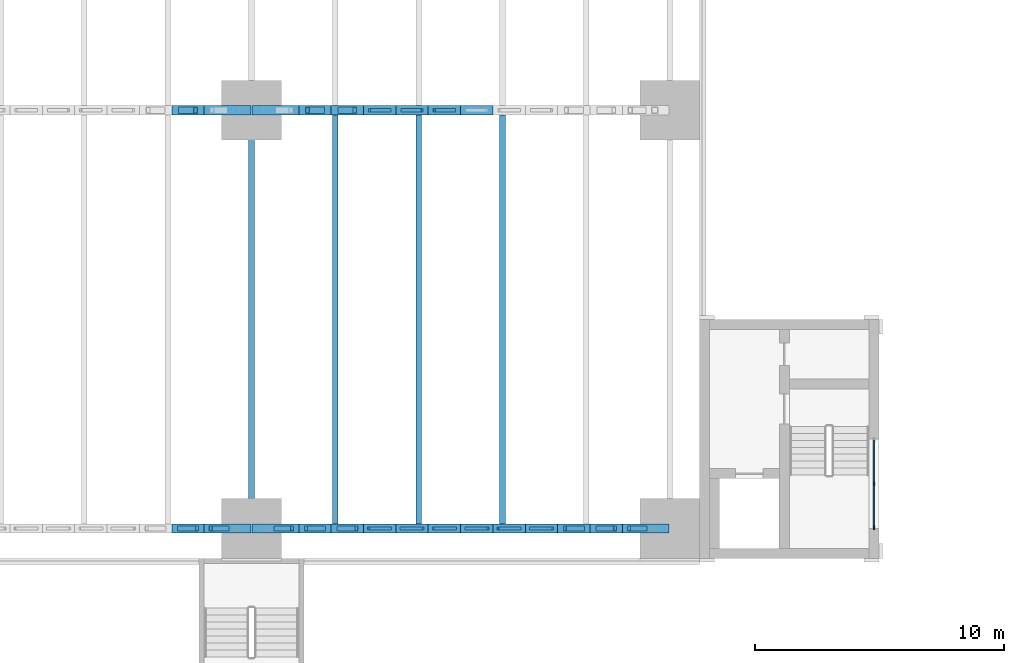
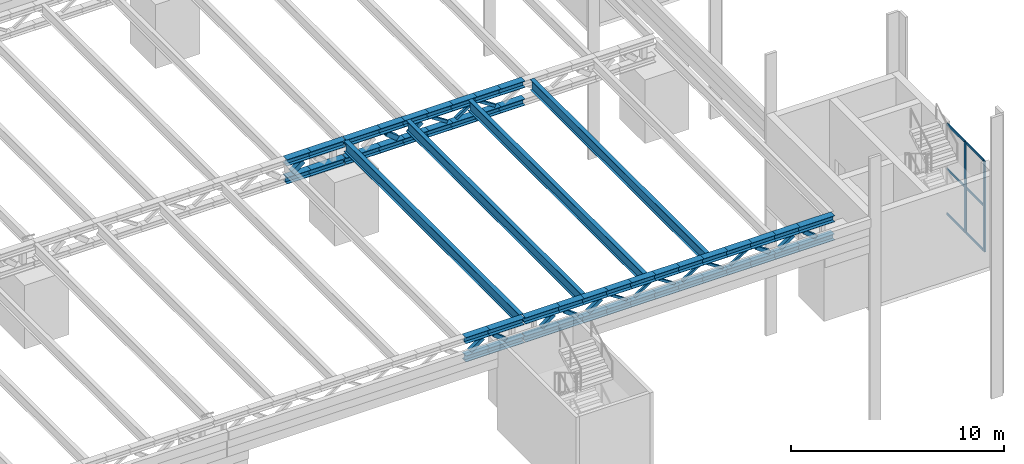
# One storey, part 33 of 93: 74 members, 4 beams, 1 element without a shape of its own.
"""IFC4 building model written with IfcOpenShell, lengths in metres."""

from ifc_helpers import new_model, si_unit, direction, frame, origin, origin_2d, place, context, subcontext, project, spatial, rectangle, hollow_rectangle, i_section, extrude, material, material_profile, profile_set, type_object, element, aggregate, save


model = new_model("IFC4")

# Units and contexts
model_context = context("Model", 3, precision=1e-05, world=origin(), true_north=direction((0.0, 1.0)))
body_context = subcontext(model_context, "Body", "Model", "MODEL_VIEW")
ifc_project = project(units=[si_unit("LENGTHUNIT", "METRE"), si_unit("AREAUNIT", "SQUARE_METRE"), si_unit("VOLUMEUNIT", "CUBIC_METRE"), si_unit("PLANEANGLEUNIT", "RADIAN"), si_unit("MASSUNIT", "GRAM", prefix="KILO")], contexts=[model_context])

# Site, building, storey
site_placement = place(None, origin())
site = spatial("IfcSite", under=ifc_project, at=site_placement, CompositionType="ELEMENT")
building_placement = place(site_placement, origin())
building = spatial("IfcBuilding", under=site, at=building_placement, Name="Verrick Yard Athletic Hall", CompositionType="ELEMENT")
storey_placement = place(building_placement, frame((0.0, 0.0, 8.800048828125)))
storey = spatial("IfcBuildingStorey", under=building, at=storey_placement, Name="L02", CompositionType="ELEMENT", Elevation=8.800048828125)

# Curtain wall, members
ifc_material_1 = material(Name="Aluminium 6063-T5", Category="aluminium")
curtain_wall_type = type_object("IfcCurtainWallType", Name="Core glazing strip", PredefinedType="NOTDEFINED", material=ifc_material_1)
curtain_wall_placement = place(storey_placement, origin())
curtain_wall = element("IfcCurtainWall", 1, at=curtain_wall_placement, inside=storey, type_object=curtain_wall_type, Name="CORE-CB3-CW-L02", PredefinedType="NOTDEFINED")
ifc_material_profile_1 = material_profile(ifc_material_1, rectangle(XDim=0.06005859375, YDim=0.159912109375, at=origin_2d()), Name="Core glazing mullion 60x160")
ifc_profile_set_1 = profile_set([ifc_material_profile_1], Name="Aluminium 6063-T5")
member_type_1 = type_object("IfcMemberType", Name="Core glazing mullion 60x160", PredefinedType="MULLION", material=ifc_profile_set_1)
member_1_placement = place(storey_placement, frame((165.800048828125, 19.22998046875, 0.0), z_axis=(0.0, 0.0, 1.0), x_axis=(-1.0, 0.0, 0.0)))
member_1 = element("IfcMember", 2, at=member_1_placement, type_object=member_type_1, Name="CW5 mullion 1", PredefinedType="MULLION", context=body_context, shape_type="SweptSolid", body=[
    extrude(rectangle(XDim=0.06005859375, YDim=0.159912109375, at=origin_2d()), origin(), (0.0, 0.0, 1.0), 5.199951171875),
])
member_2_placement = place(storey_placement, frame((165.800048828125, 21.0, 0.0), z_axis=(0.0, 0.0, 1.0), x_axis=(-1.0, 0.0, 0.0)))
member_2 = element("IfcMember", 3, at=member_2_placement, type_object=member_type_1, Name="CW5 mullion 2", PredefinedType="MULLION", context=body_context, shape_type="SweptSolid", body=[
    extrude(rectangle(XDim=0.06005859375, YDim=0.159912109375, at=origin_2d()), origin(), (0.0, 0.0, 1.0), 5.199951171875),
])
ifc_material_profile_2 = material_profile(ifc_material_1, rectangle(XDim=0.06005859375, YDim=0.1201171875, at=origin_2d()), Name="Core glazing transom 60x120")
ifc_profile_set_2 = profile_set([ifc_material_profile_2], Name="Aluminium 6063-T5")
member_type_2 = type_object("IfcMemberType", Name="Core glazing transom 60x120", PredefinedType="USERDEFINED", material=ifc_profile_set_2)
member_3_placement = place(storey_placement, frame((165.800048828125, 19.260009765625, 0.030029296875), z_axis=(0.0, 1.0, 0.0), x_axis=(-1.0, 0.0, 0.0)))
member_3 = element("IfcMember", 4, at=member_3_placement, type_object=member_type_2, Name="CW5 transom 1.1", ObjectType="TRANSOM", PredefinedType="USERDEFINED", context=body_context, shape_type="SweptSolid", body=[
    extrude(rectangle(XDim=0.06005859375, YDim=0.1201171875, at=origin_2d()), origin(), (0.0, 0.0, 1.0), 1.7099609375),
])
member_4_placement = place(storey_placement, frame((165.800048828125, 19.260009765625, 2.599853515625), z_axis=(0.0, 1.0, 0.0), x_axis=(-1.0, 0.0, 0.0)))
member_4 = element("IfcMember", 5, at=member_4_placement, type_object=member_type_2, Name="CW5 transom 1.2", ObjectType="TRANSOM", PredefinedType="USERDEFINED", context=body_context, shape_type="SweptSolid", body=[
    extrude(rectangle(XDim=0.06005859375, YDim=0.1201171875, at=origin_2d()), origin(), (0.0, 0.0, 1.0), 1.7099609375),
])
member_5_placement = place(storey_placement, frame((165.800048828125, 19.260009765625, 5.169921875), z_axis=(0.0, 1.0, 0.0), x_axis=(-1.0, 0.0, 0.0)))
member_5 = element("IfcMember", 6, at=member_5_placement, type_object=member_type_2, Name="CW5 transom 1.3", ObjectType="TRANSOM", PredefinedType="USERDEFINED", context=body_context, shape_type="SweptSolid", body=[
    extrude(rectangle(XDim=0.06005859375, YDim=0.1201171875, at=origin_2d()), origin(), (0.0, 0.0, 1.0), 1.7099609375),
])
member_6_placement = place(storey_placement, frame((165.800048828125, 21.030029296875, 0.030029296875), z_axis=(0.0, 1.0, 0.0), x_axis=(-1.0, 0.0, 0.0)))
member_6 = element("IfcMember", 7, at=member_6_placement, type_object=member_type_2, Name="CW5 transom 2.1", ObjectType="TRANSOM", PredefinedType="USERDEFINED", context=body_context, shape_type="SweptSolid", body=[
    extrude(rectangle(XDim=0.06005859375, YDim=0.1201171875, at=origin_2d()), origin(), (0.0, 0.0, 1.0), 1.7099609375),
])
member_7_placement = place(storey_placement, frame((165.800048828125, 21.030029296875, 2.599853515625), z_axis=(0.0, 1.0, 0.0), x_axis=(-1.0, 0.0, 0.0)))
member_7 = element("IfcMember", 8, at=member_7_placement, type_object=member_type_2, Name="CW5 transom 2.2", ObjectType="TRANSOM", PredefinedType="USERDEFINED", context=body_context, shape_type="SweptSolid", body=[
    extrude(rectangle(XDim=0.06005859375, YDim=0.1201171875, at=origin_2d()), origin(), (0.0, 0.0, 1.0), 1.7099609375),
])
member_8_placement = place(storey_placement, frame((165.800048828125, 21.030029296875, 5.169921875), z_axis=(0.0, 1.0, 0.0), x_axis=(-1.0, 0.0, 0.0)))
member_8 = element("IfcMember", 9, at=member_8_placement, type_object=member_type_2, Name="CW5 transom 2.3", ObjectType="TRANSOM", PredefinedType="USERDEFINED", context=body_context, shape_type="SweptSolid", body=[
    extrude(rectangle(XDim=0.06005859375, YDim=0.1201171875, at=origin_2d()), origin(), (0.0, 0.0, 1.0), 1.7099609375),
])
aggregate(curtain_wall, [member_1, member_2, member_3, member_4, member_5, member_6, member_7, member_8])

# Members
ifc_material_2 = material(Name="Structural steel 350W (CSA G40.21)", Category="steel")
ifc_material_profile_3 = material_profile(ifc_material_2, i_section(OverallWidth=0.368896484375, OverallDepth=0.35595703125, WebThickness=0.01123046875, FlangeThickness=0.01806640625, at=origin_2d()), Name="W360x134")
ifc_profile_set_3 = profile_set([ifc_material_profile_3], Name="Structural steel 350W (CSA G40.21)")
member_type_3 = type_object("IfcMemberType", Name="STR Edge truss bottom chord W360x134", PredefinedType="CHORD", material=ifc_profile_set_3)
member_9_placement = place(storey_placement, frame((137.60009765625, 19.199951171875, 3.827880859375), z_axis=(1.0, 0.0, 0.0), x_axis=(0.0, 1.0, 0.0)))
element("IfcMember", 10, at=member_9_placement, inside=storey, type_object=member_type_3, Name="STR-BC-GA6-11", PredefinedType="CHORD", context=body_context, shape_type="SweptSolid", body=[
    extrude(i_section(OverallWidth=0.368896484375, OverallDepth=0.35595703125, WebThickness=0.01123046875, FlangeThickness=0.01806640625, at=origin_2d()), origin(), (0.0, 0.0, 1.0), 1.2998046875),
])
for number, where, z_axis, x_axis, name in (
    (11, (138.89990234375, 19.199951171875, 3.827880859375), (1.0, 0.0, 0.0), (0.0, 1.0, 0.0), "STR-BC-GA6-12"),
    (12, (140.824951171875, 19.199951171875, 3.827880859375), (1.0, 0.0, 0.0), (0.0, 1.0, 0.0), "STR-BC-GA7-1"),
):
    element("IfcMember", number, at=place(storey_placement, frame(where, z_axis=z_axis, x_axis=x_axis)), inside=storey, type_object=member_type_3, Name=name, PredefinedType="CHORD", context=body_context, shape_type="SweptSolid", body=[
        extrude(i_section(OverallWidth=0.368896484375, OverallDepth=0.35595703125, WebThickness=0.01123046875, FlangeThickness=0.01806640625, at=origin_2d()), origin(), (0.0, 0.0, 1.0), 1.875),
    ])
for number, where, z_axis, x_axis, name in (
    (13, (142.699951171875, 19.199951171875, 3.827880859375), (1.0, 0.0, 0.0), (0.0, 1.0, 0.0), "STR-BC-GA7-2"),
    (14, (144.0, 19.199951171875, 3.827880859375), (1.0, 0.0, 0.0), (0.0, 1.0, 0.0), "STR-BC-GA7-3"),
    (15, (145.300048828125, 19.199951171875, 3.827880859375), (1.0, 0.0, 0.0), (0.0, 1.0, 0.0), "STR-BC-GA7-4"),
):
    element("IfcMember", number, at=place(storey_placement, frame(where, z_axis=z_axis, x_axis=x_axis)), inside=storey, type_object=member_type_3, Name=name, PredefinedType="CHORD", context=body_context, shape_type="SweptSolid", body=[
        extrude(i_section(OverallWidth=0.368896484375, OverallDepth=0.35595703125, WebThickness=0.01123046875, FlangeThickness=0.01806640625, at=origin_2d()), origin(), (0.0, 0.0, 1.0), 1.300048828125),
    ])
member_10_placement = place(storey_placement, frame((146.60009765625, 19.199951171875, 3.827880859375), z_axis=(1.0, 0.0, 0.0), x_axis=(0.0, 1.0, 0.0)))
element("IfcMember", 16, at=member_10_placement, inside=storey, type_object=member_type_3, Name="STR-BC-GA7-5", PredefinedType="CHORD", context=body_context, shape_type="SweptSolid", body=[
    extrude(i_section(OverallWidth=0.368896484375, OverallDepth=0.35595703125, WebThickness=0.01123046875, FlangeThickness=0.01806640625, at=origin_2d()), origin(), (0.0, 0.0, 1.0), 1.2998046875),
])
for number, where, z_axis, x_axis, name in (
    (17, (147.89990234375, 19.199951171875, 3.827880859375), (1.0, 0.0, 0.0), (0.0, 1.0, 0.0), "STR-BC-GA7-6"),
    (18, (149.199951171875, 19.199951171875, 3.827880859375), (1.0, 0.0, 0.0), (0.0, 1.0, 0.0), "STR-BC-GA7-7"),
    (19, (150.5, 19.199951171875, 3.827880859375), (1.0, 0.0, 0.0), (0.0, 1.0, 0.0), "STR-BC-GA7-8"),
    (20, (151.800048828125, 19.199951171875, 3.827880859375), (1.0, 0.0, 0.0), (0.0, 1.0, 0.0), "STR-BC-GA7-9"),
):
    element("IfcMember", number, at=place(storey_placement, frame(where, z_axis=z_axis, x_axis=x_axis)), inside=storey, type_object=member_type_3, Name=name, PredefinedType="CHORD", context=body_context, shape_type="SweptSolid", body=[
        extrude(i_section(OverallWidth=0.368896484375, OverallDepth=0.35595703125, WebThickness=0.01123046875, FlangeThickness=0.01806640625, at=origin_2d()), origin(), (0.0, 0.0, 1.0), 1.300048828125),
    ])
member_11_placement = place(storey_placement, frame((153.10009765625, 19.199951171875, 3.827880859375), z_axis=(1.0, 0.0, 0.0), x_axis=(0.0, 1.0, 0.0)))
element("IfcMember", 21, at=member_11_placement, inside=storey, type_object=member_type_3, Name="STR-BC-GA7-10", PredefinedType="CHORD", context=body_context, shape_type="SweptSolid", body=[
    extrude(i_section(OverallWidth=0.368896484375, OverallDepth=0.35595703125, WebThickness=0.01123046875, FlangeThickness=0.01806640625, at=origin_2d()), origin(), (0.0, 0.0, 1.0), 1.2998046875),
])
member_12_placement = place(storey_placement, frame((154.39990234375, 19.199951171875, 3.827880859375), z_axis=(1.0, 0.0, 0.0), x_axis=(0.0, 1.0, 0.0)))
element("IfcMember", 22, at=member_12_placement, inside=storey, type_object=member_type_3, Name="STR-BC-GA7-11", PredefinedType="CHORD", context=body_context, shape_type="SweptSolid", body=[
    extrude(i_section(OverallWidth=0.368896484375, OverallDepth=0.35595703125, WebThickness=0.01123046875, FlangeThickness=0.01806640625, at=origin_2d()), origin(), (0.0, 0.0, 1.0), 1.300048828125),
])
member_13_placement = place(storey_placement, frame((155.699951171875, 19.199951171875, 3.827880859375), z_axis=(1.0, 0.0, 0.0), x_axis=(0.0, 1.0, 0.0)))
element("IfcMember", 23, at=member_13_placement, inside=storey, type_object=member_type_3, Name="STR-BC-GA7-12", PredefinedType="CHORD", context=body_context, shape_type="SweptSolid", body=[
    extrude(i_section(OverallWidth=0.368896484375, OverallDepth=0.35595703125, WebThickness=0.01123046875, FlangeThickness=0.01806640625, at=origin_2d()), origin(), (0.0, 0.0, 1.0), 1.875),
])
ifc_material_profile_4 = material_profile(ifc_material_2, i_section(OverallWidth=0.368896484375, OverallDepth=0.35595703125, WebThickness=0.01123046875, FlangeThickness=0.01806640625, at=origin_2d()), Name="W360x134")
ifc_profile_set_4 = profile_set([ifc_material_profile_4], Name="Structural steel 350W (CSA G40.21)")
member_type_4 = type_object("IfcMemberType", Name="STR Edge truss top chord W360x134", PredefinedType="CHORD", material=ifc_profile_set_4)
member_14_placement = place(storey_placement, frame((137.60009765625, 19.199951171875, 4.8720703125), z_axis=(1.0, 0.0, 0.0), x_axis=(0.0, 1.0, 0.0)))
element("IfcMember", 24, at=member_14_placement, inside=storey, type_object=member_type_4, Name="STR-TC-GA6-11", PredefinedType="CHORD", context=body_context, shape_type="SweptSolid", body=[
    extrude(i_section(OverallWidth=0.368896484375, OverallDepth=0.35595703125, WebThickness=0.01123046875, FlangeThickness=0.01806640625, at=origin_2d()), origin(), (0.0, 0.0, 1.0), 1.2998046875),
])
for number, where, z_axis, x_axis, name in (
    (25, (138.89990234375, 19.199951171875, 4.8720703125), (1.0, 0.0, 0.0), (0.0, 1.0, 0.0), "STR-TC-GA6-12"),
    (26, (140.824951171875, 19.199951171875, 4.8720703125), (1.0, 0.0, 0.0), (0.0, 1.0, 0.0), "STR-TC-GA7-1"),
):
    element("IfcMember", number, at=place(storey_placement, frame(where, z_axis=z_axis, x_axis=x_axis)), inside=storey, type_object=member_type_4, Name=name, PredefinedType="CHORD", context=body_context, shape_type="SweptSolid", body=[
        extrude(i_section(OverallWidth=0.368896484375, OverallDepth=0.35595703125, WebThickness=0.01123046875, FlangeThickness=0.01806640625, at=origin_2d()), origin(), (0.0, 0.0, 1.0), 1.875),
    ])
for number, where, z_axis, x_axis, name in (
    (27, (142.699951171875, 19.199951171875, 4.8720703125), (1.0, 0.0, 0.0), (0.0, 1.0, 0.0), "STR-TC-GA7-2"),
    (28, (144.0, 19.199951171875, 4.8720703125), (1.0, 0.0, 0.0), (0.0, 1.0, 0.0), "STR-TC-GA7-3"),
    (29, (145.300048828125, 19.199951171875, 4.8720703125), (1.0, 0.0, 0.0), (0.0, 1.0, 0.0), "STR-TC-GA7-4"),
):
    element("IfcMember", number, at=place(storey_placement, frame(where, z_axis=z_axis, x_axis=x_axis)), inside=storey, type_object=member_type_4, Name=name, PredefinedType="CHORD", context=body_context, shape_type="SweptSolid", body=[
        extrude(i_section(OverallWidth=0.368896484375, OverallDepth=0.35595703125, WebThickness=0.01123046875, FlangeThickness=0.01806640625, at=origin_2d()), origin(), (0.0, 0.0, 1.0), 1.300048828125),
    ])
member_15_placement = place(storey_placement, frame((146.60009765625, 19.199951171875, 4.8720703125), z_axis=(1.0, 0.0, 0.0), x_axis=(0.0, 1.0, 0.0)))
element("IfcMember", 30, at=member_15_placement, inside=storey, type_object=member_type_4, Name="STR-TC-GA7-5", PredefinedType="CHORD", context=body_context, shape_type="SweptSolid", body=[
    extrude(i_section(OverallWidth=0.368896484375, OverallDepth=0.35595703125, WebThickness=0.01123046875, FlangeThickness=0.01806640625, at=origin_2d()), origin(), (0.0, 0.0, 1.0), 1.2998046875),
])
for number, where, z_axis, x_axis, name in (
    (31, (147.89990234375, 19.199951171875, 4.8720703125), (1.0, 0.0, 0.0), (0.0, 1.0, 0.0), "STR-TC-GA7-6"),
    (32, (149.199951171875, 19.199951171875, 4.8720703125), (1.0, 0.0, 0.0), (0.0, 1.0, 0.0), "STR-TC-GA7-7"),
    (33, (150.5, 19.199951171875, 4.8720703125), (1.0, 0.0, 0.0), (0.0, 1.0, 0.0), "STR-TC-GA7-8"),
    (34, (151.800048828125, 19.199951171875, 4.8720703125), (1.0, 0.0, 0.0), (0.0, 1.0, 0.0), "STR-TC-GA7-9"),
):
    element("IfcMember", number, at=place(storey_placement, frame(where, z_axis=z_axis, x_axis=x_axis)), inside=storey, type_object=member_type_4, Name=name, PredefinedType="CHORD", context=body_context, shape_type="SweptSolid", body=[
        extrude(i_section(OverallWidth=0.368896484375, OverallDepth=0.35595703125, WebThickness=0.01123046875, FlangeThickness=0.01806640625, at=origin_2d()), origin(), (0.0, 0.0, 1.0), 1.300048828125),
    ])
member_16_placement = place(storey_placement, frame((153.10009765625, 19.199951171875, 4.8720703125), z_axis=(1.0, 0.0, 0.0), x_axis=(0.0, 1.0, 0.0)))
element("IfcMember", 35, at=member_16_placement, inside=storey, type_object=member_type_4, Name="STR-TC-GA7-10", PredefinedType="CHORD", context=body_context, shape_type="SweptSolid", body=[
    extrude(i_section(OverallWidth=0.368896484375, OverallDepth=0.35595703125, WebThickness=0.01123046875, FlangeThickness=0.01806640625, at=origin_2d()), origin(), (0.0, 0.0, 1.0), 1.2998046875),
])
member_17_placement = place(storey_placement, frame((154.39990234375, 19.199951171875, 4.8720703125), z_axis=(1.0, 0.0, 0.0), x_axis=(0.0, 1.0, 0.0)))
element("IfcMember", 36, at=member_17_placement, inside=storey, type_object=member_type_4, Name="STR-TC-GA7-11", PredefinedType="CHORD", context=body_context, shape_type="SweptSolid", body=[
    extrude(i_section(OverallWidth=0.368896484375, OverallDepth=0.35595703125, WebThickness=0.01123046875, FlangeThickness=0.01806640625, at=origin_2d()), origin(), (0.0, 0.0, 1.0), 1.300048828125),
])
member_18_placement = place(storey_placement, frame((155.699951171875, 19.199951171875, 4.8720703125), z_axis=(1.0, 0.0, 0.0), x_axis=(0.0, 1.0, 0.0)))
element("IfcMember", 37, at=member_18_placement, inside=storey, type_object=member_type_4, Name="STR-TC-GA7-12", PredefinedType="CHORD", context=body_context, shape_type="SweptSolid", body=[
    extrude(i_section(OverallWidth=0.368896484375, OverallDepth=0.35595703125, WebThickness=0.01123046875, FlangeThickness=0.01806640625, at=origin_2d()), origin(), (0.0, 0.0, 1.0), 1.875),
])
ifc_material_3 = material(Name="Structural steel HSS Class C 350W (CSA G40.20/G40.21)", Category="steel")
ifc_material_profile_5 = material_profile(ifc_material_3, hollow_rectangle(XDim=0.126953125, YDim=0.126953125, WallThickness=0.009521484375, at=origin_2d()), Name="HSS127x127x9.5")
ifc_profile_set_5 = profile_set([ifc_material_profile_5], Name="Structural steel HSS Class C 350W (CSA G40.20/G40.21)")
member_type_5 = type_object("IfcMemberType", Name="STR Edge truss web HSS127x127x9.5", PredefinedType="BRACE", material=ifc_profile_set_5)
member_19_placement = place(storey_placement, frame((145.50244140625, 19.199951171875, 4.641357421875), z_axis=(0.838083139624, 0.0, -0.54554252912), x_axis=(0.0, 1.0, 0.0)))
element("IfcMember", 38, at=member_19_placement, inside=storey, type_object=member_type_5, Name="STR-TW-GA7-4", PredefinedType="BRACE", context=body_context, shape_type="SweptSolid", body=[
    extrude(hollow_rectangle(XDim=0.126953125, YDim=0.126953125, WallThickness=0.009521484375, at=origin_2d()), origin(), (0.0, 0.0, 1.0), 1.068115234375),
])
member_20_placement = place(storey_placement, frame((146.80224609375, 19.199951171875, 4.05859375), z_axis=(0.838151139583, 0.0, 0.545438050759), x_axis=(0.0, 1.0, 0.0)))
element("IfcMember", 39, at=member_20_placement, inside=storey, type_object=member_type_5, Name="STR-TW-GA7-5", PredefinedType="BRACE", context=body_context, shape_type="SweptSolid", body=[
    extrude(hollow_rectangle(XDim=0.126953125, YDim=0.126953125, WallThickness=0.009521484375, at=origin_2d()), origin(), (0.0, 0.0, 1.0), 1.068359375),
])
for number, where, z_axis, x_axis, name in (
    (40, (148.102294921875, 19.199951171875, 4.641357421875), (0.838083139624, 0.0, -0.54554252912), (0.0, 1.0, 0.0), "STR-TW-GA7-6"),
    (41, (149.40234375, 19.199951171875, 4.05859375), (0.838083139624, 0.0, 0.54554252912), (0.0, 1.0, 0.0), "STR-TW-GA7-7"),
    (42, (150.702392578125, 19.199951171875, 4.641357421875), (0.838083139624, 0.0, -0.54554252912), (0.0, 1.0, 0.0), "STR-TW-GA7-8"),
    (43, (152.00244140625, 19.199951171875, 4.05859375), (0.838083139624, 0.0, 0.54554252912), (0.0, 1.0, 0.0), "STR-TW-GA7-9"),
):
    element("IfcMember", number, at=place(storey_placement, frame(where, z_axis=z_axis, x_axis=x_axis)), inside=storey, type_object=member_type_5, Name=name, PredefinedType="BRACE", context=body_context, shape_type="SweptSolid", body=[
        extrude(hollow_rectangle(XDim=0.126953125, YDim=0.126953125, WallThickness=0.009521484375, at=origin_2d()), origin(), (0.0, 0.0, 1.0), 1.068115234375),
    ])
ifc_material_profile_6 = material_profile(ifc_material_3, hollow_rectangle(XDim=0.203125, YDim=0.203125, WallThickness=0.0126953125, at=origin_2d()), Name="HSS203x203x13")
ifc_profile_set_6 = profile_set([ifc_material_profile_6], Name="Structural steel HSS Class C 350W (CSA G40.20/G40.21)")
member_type_6 = type_object("IfcMemberType", Name="STR Edge truss web HSS203x203x13", PredefinedType="BRACE", material=ifc_profile_set_6)
member_21_placement = place(storey_placement, frame((137.8896484375, 19.199951171875, 4.08740234375), z_axis=(0.808333297144, 0.0, 0.588725131728), x_axis=(0.0, 1.0, 0.0)))
element("IfcMember", 44, at=member_21_placement, inside=storey, type_object=member_type_6, Name="STR-TW-GA6-11", PredefinedType="BRACE", context=body_context, shape_type="SweptSolid", body=[
    extrude(hollow_rectangle(XDim=0.203125, YDim=0.203125, WallThickness=0.0126953125, at=origin_2d()), origin(), (0.0, 0.0, 1.0), 0.8916015625),
])
member_22_placement = place(storey_placement, frame((139.16552734375, 19.199951171875, 4.615234375), z_axis=(0.780503800734, 0.0, -0.625151035383), x_axis=(0.0, 1.0, 0.0)))
element("IfcMember", 45, at=member_22_placement, inside=storey, type_object=member_type_6, Name="STR-TW-GA6-12", PredefinedType="BRACE", context=body_context, shape_type="SweptSolid", body=[
    extrude(hollow_rectangle(XDim=0.203125, YDim=0.203125, WallThickness=0.0126953125, at=origin_2d()), origin(), (0.0, 0.0, 1.0), 0.8486328125),
])
member_23_placement = place(storey_placement, frame((141.772216796875, 19.199951171875, 4.084716796875), z_axis=(0.780391329508, 0.0, 0.625291430318), x_axis=(0.0, 1.0, 0.0)))
element("IfcMember", 46, at=member_23_placement, inside=storey, type_object=member_type_6, Name="STR-TW-GA7-1", PredefinedType="BRACE", context=body_context, shape_type="SweptSolid", body=[
    extrude(hollow_rectangle(XDim=0.203125, YDim=0.203125, WallThickness=0.0126953125, at=origin_2d()), origin(), (0.0, 0.0, 1.0), 0.848388671875),
])
for number, where, z_axis, x_axis, name in (
    (47, (142.989501953125, 19.199951171875, 4.6123046875), (0.808428172865, 0.0, -0.588594843095), (0.0, 1.0, 0.0), "STR-TW-GA7-2"),
    (48, (144.28955078125, 19.199951171875, 4.08740234375), (0.808428172865, 0.0, 0.588594843095), (0.0, 1.0, 0.0), "STR-TW-GA7-3"),
):
    element("IfcMember", number, at=place(storey_placement, frame(where, z_axis=z_axis, x_axis=x_axis)), inside=storey, type_object=member_type_6, Name=name, PredefinedType="BRACE", context=body_context, shape_type="SweptSolid", body=[
        extrude(hollow_rectangle(XDim=0.203125, YDim=0.203125, WallThickness=0.0126953125, at=origin_2d()), origin(), (0.0, 0.0, 1.0), 0.891845703125),
    ])
for number, where, z_axis, x_axis, name in (
    (49, (153.3896484375, 19.199951171875, 4.6123046875), (0.808333297144, 0.0, -0.588725131728), (0.0, 1.0, 0.0), "STR-TW-GA7-10"),
    (50, (154.689697265625, 19.199951171875, 4.08740234375), (0.808333297144, 0.0, 0.588725131728), (0.0, 1.0, 0.0), "STR-TW-GA7-11"),
):
    element("IfcMember", number, at=place(storey_placement, frame(where, z_axis=z_axis, x_axis=x_axis)), inside=storey, type_object=member_type_6, Name=name, PredefinedType="BRACE", context=body_context, shape_type="SweptSolid", body=[
        extrude(hollow_rectangle(XDim=0.203125, YDim=0.203125, WallThickness=0.0126953125, at=origin_2d()), origin(), (0.0, 0.0, 1.0), 0.8916015625),
    ])
member_24_placement = place(storey_placement, frame((155.965576171875, 19.199951171875, 4.615234375), z_axis=(0.780391329508, 0.0, -0.625291430318), x_axis=(0.0, 1.0, 0.0)))
element("IfcMember", 51, at=member_24_placement, inside=storey, type_object=member_type_6, Name="STR-TW-GA7-12", PredefinedType="BRACE", context=body_context, shape_type="SweptSolid", body=[
    extrude(hollow_rectangle(XDim=0.203125, YDim=0.203125, WallThickness=0.0126953125, at=origin_2d()), origin(), (0.0, 0.0, 1.0), 0.848388671875),
])

# Beams
ifc_material_profile_7 = material_profile(ifc_material_2, i_section(OverallWidth=0.22802734375, OverallDepth=0.60791015625, WebThickness=0.01123046875, FlangeThickness=0.017333984375, at=origin_2d()), Name="W610x113")
ifc_profile_set_7 = profile_set([ifc_material_profile_7], Name="Structural steel 350W (CSA G40.21)")
beam_type = type_object("IfcBeamType", Name="STR Secondary beam W610x113", PredefinedType="BEAM", material=ifc_profile_set_7)
for number, where, z_axis, x_axis, name in (
    (52, (144.159912109375, 19.384521484375, 4.745849609375), (0.0, 1.0, 0.0), (-1.0, 0.0, 0.0), "STR-SB-S171"),
    (53, (147.52001953125, 19.384521484375, 4.745849609375), (0.0, 1.0, 0.0), (-1.0, 0.0, 0.0), "STR-SB-S172"),
    (54, (150.8798828125, 19.384521484375, 4.745849609375), (0.0, 1.0, 0.0), (-1.0, 0.0, 0.0), "STR-SB-S173"),
    (55, (140.800048828125, 19.384521484375, 4.745849609375), (0.0, 1.0, 0.0), (-1.0, 0.0, 0.0), "STR-SB-X7A"),
):
    element("IfcBeam", number, at=place(storey_placement, frame(where, z_axis=z_axis, x_axis=x_axis)), inside=storey, type_object=beam_type, Name=name, PredefinedType="BEAM", context=body_context, shape_type="SweptSolid", body=[
        extrude(i_section(OverallWidth=0.22802734375, OverallDepth=0.60791015625, WebThickness=0.01123046875, FlangeThickness=0.017333984375, at=origin_2d()), origin(), (0.0, 0.0, 1.0), 16.428466796875),
    ])

# Members
ifc_material_profile_8 = material_profile(ifc_material_2, i_section(OverallWidth=0.3740234375, OverallDepth=0.3720703125, WebThickness=0.016357421875, FlangeThickness=0.026123046875, at=origin_2d()), Name="W360x196")
ifc_profile_set_8 = profile_set([ifc_material_profile_8], Name="Structural steel 350W (CSA G40.21)")
member_type_7 = type_object("IfcMemberType", Name="STR Truss bottom chord W360x196", PredefinedType="CHORD", material=ifc_profile_set_8)
member_25_placement = place(storey_placement, frame((137.60009765625, 36.0, 3.8359375), z_axis=(1.0, 0.0, 0.0), x_axis=(0.0, 1.0, 0.0)))
element("IfcMember", 56, at=member_25_placement, inside=storey, type_object=member_type_7, Name="STR-BC-GB6-11", PredefinedType="CHORD", context=body_context, shape_type="SweptSolid", body=[
    extrude(i_section(OverallWidth=0.3740234375, OverallDepth=0.3720703125, WebThickness=0.016357421875, FlangeThickness=0.026123046875, at=origin_2d()), origin(), (0.0, 0.0, 1.0), 1.2998046875),
])
for number, where, z_axis, x_axis, name in (
    (57, (138.89990234375, 36.0, 3.8359375), (1.0, 0.0, 0.0), (0.0, 1.0, 0.0), "STR-BC-GB6-12"),
    (58, (140.824951171875, 36.0, 3.8359375), (1.0, 0.0, 0.0), (0.0, 1.0, 0.0), "STR-BC-GB7-1"),
):
    element("IfcMember", number, at=place(storey_placement, frame(where, z_axis=z_axis, x_axis=x_axis)), inside=storey, type_object=member_type_7, Name=name, PredefinedType="CHORD", context=body_context, shape_type="SweptSolid", body=[
        extrude(i_section(OverallWidth=0.3740234375, OverallDepth=0.3720703125, WebThickness=0.016357421875, FlangeThickness=0.026123046875, at=origin_2d()), origin(), (0.0, 0.0, 1.0), 1.875),
    ])
for number, where, z_axis, x_axis, name in (
    (59, (142.699951171875, 36.0, 3.8359375), (1.0, 0.0, 0.0), (0.0, 1.0, 0.0), "STR-BC-GB7-2"),
    (60, (144.0, 36.0, 3.8359375), (1.0, 0.0, 0.0), (0.0, 1.0, 0.0), "STR-BC-GB7-3"),
    (61, (145.300048828125, 36.0, 3.8359375), (1.0, 0.0, 0.0), (0.0, 1.0, 0.0), "STR-BC-GB7-4"),
):
    element("IfcMember", number, at=place(storey_placement, frame(where, z_axis=z_axis, x_axis=x_axis)), inside=storey, type_object=member_type_7, Name=name, PredefinedType="CHORD", context=body_context, shape_type="SweptSolid", body=[
        extrude(i_section(OverallWidth=0.3740234375, OverallDepth=0.3720703125, WebThickness=0.016357421875, FlangeThickness=0.026123046875, at=origin_2d()), origin(), (0.0, 0.0, 1.0), 1.300048828125),
    ])
member_26_placement = place(storey_placement, frame((146.60009765625, 36.0, 3.8359375), z_axis=(1.0, 0.0, 0.0), x_axis=(0.0, 1.0, 0.0)))
element("IfcMember", 62, at=member_26_placement, inside=storey, type_object=member_type_7, Name="STR-BC-GB7-5", PredefinedType="CHORD", context=body_context, shape_type="SweptSolid", body=[
    extrude(i_section(OverallWidth=0.3740234375, OverallDepth=0.3720703125, WebThickness=0.016357421875, FlangeThickness=0.026123046875, at=origin_2d()), origin(), (0.0, 0.0, 1.0), 1.2998046875),
])
for number, where, z_axis, x_axis, name in (
    (63, (147.89990234375, 36.0, 3.8359375), (1.0, 0.0, 0.0), (0.0, 1.0, 0.0), "STR-BC-GB7-6"),
    (64, (149.199951171875, 36.0, 3.8359375), (1.0, 0.0, 0.0), (0.0, 1.0, 0.0), "STR-BC-GB7-7"),
):
    element("IfcMember", number, at=place(storey_placement, frame(where, z_axis=z_axis, x_axis=x_axis)), inside=storey, type_object=member_type_7, Name=name, PredefinedType="CHORD", context=body_context, shape_type="SweptSolid", body=[
        extrude(i_section(OverallWidth=0.3740234375, OverallDepth=0.3720703125, WebThickness=0.016357421875, FlangeThickness=0.026123046875, at=origin_2d()), origin(), (0.0, 0.0, 1.0), 1.300048828125),
    ])
ifc_material_profile_9 = material_profile(ifc_material_2, i_section(OverallWidth=0.3740234375, OverallDepth=0.3720703125, WebThickness=0.016357421875, FlangeThickness=0.026123046875, at=origin_2d()), Name="W360x196")
ifc_profile_set_9 = profile_set([ifc_material_profile_9], Name="Structural steel 350W (CSA G40.21)")
member_type_8 = type_object("IfcMemberType", Name="STR Truss top chord W360x196", PredefinedType="CHORD", material=ifc_profile_set_9)
member_27_placement = place(storey_placement, frame((137.60009765625, 36.0, 4.864013671875), z_axis=(1.0, 0.0, 0.0), x_axis=(0.0, 1.0, 0.0)))
element("IfcMember", 65, at=member_27_placement, inside=storey, type_object=member_type_8, Name="STR-TC-GB6-11", PredefinedType="CHORD", context=body_context, shape_type="SweptSolid", body=[
    extrude(i_section(OverallWidth=0.3740234375, OverallDepth=0.3720703125, WebThickness=0.016357421875, FlangeThickness=0.026123046875, at=origin_2d()), origin(), (0.0, 0.0, 1.0), 1.2998046875),
])
for number, where, z_axis, x_axis, name in (
    (66, (138.89990234375, 36.0, 4.864013671875), (1.0, 0.0, 0.0), (0.0, 1.0, 0.0), "STR-TC-GB6-12"),
    (67, (140.824951171875, 36.0, 4.864013671875), (1.0, 0.0, 0.0), (0.0, 1.0, 0.0), "STR-TC-GB7-1"),
):
    element("IfcMember", number, at=place(storey_placement, frame(where, z_axis=z_axis, x_axis=x_axis)), inside=storey, type_object=member_type_8, Name=name, PredefinedType="CHORD", context=body_context, shape_type="SweptSolid", body=[
        extrude(i_section(OverallWidth=0.3740234375, OverallDepth=0.3720703125, WebThickness=0.016357421875, FlangeThickness=0.026123046875, at=origin_2d()), origin(), (0.0, 0.0, 1.0), 1.875),
    ])
for number, where, z_axis, x_axis, name in (
    (68, (142.699951171875, 36.0, 4.864013671875), (1.0, 0.0, 0.0), (0.0, 1.0, 0.0), "STR-TC-GB7-2"),
    (69, (144.0, 36.0, 4.864013671875), (1.0, 0.0, 0.0), (0.0, 1.0, 0.0), "STR-TC-GB7-3"),
    (70, (145.300048828125, 36.0, 4.864013671875), (1.0, 0.0, 0.0), (0.0, 1.0, 0.0), "STR-TC-GB7-4"),
):
    element("IfcMember", number, at=place(storey_placement, frame(where, z_axis=z_axis, x_axis=x_axis)), inside=storey, type_object=member_type_8, Name=name, PredefinedType="CHORD", context=body_context, shape_type="SweptSolid", body=[
        extrude(i_section(OverallWidth=0.3740234375, OverallDepth=0.3720703125, WebThickness=0.016357421875, FlangeThickness=0.026123046875, at=origin_2d()), origin(), (0.0, 0.0, 1.0), 1.300048828125),
    ])
member_28_placement = place(storey_placement, frame((146.60009765625, 36.0, 4.864013671875), z_axis=(1.0, 0.0, 0.0), x_axis=(0.0, 1.0, 0.0)))
element("IfcMember", 71, at=member_28_placement, inside=storey, type_object=member_type_8, Name="STR-TC-GB7-5", PredefinedType="CHORD", context=body_context, shape_type="SweptSolid", body=[
    extrude(i_section(OverallWidth=0.3740234375, OverallDepth=0.3720703125, WebThickness=0.016357421875, FlangeThickness=0.026123046875, at=origin_2d()), origin(), (0.0, 0.0, 1.0), 1.2998046875),
])
for number, where, z_axis, x_axis, name in (
    (72, (147.89990234375, 36.0, 4.864013671875), (1.0, 0.0, 0.0), (0.0, 1.0, 0.0), "STR-TC-GB7-6"),
    (73, (149.199951171875, 36.0, 4.864013671875), (1.0, 0.0, 0.0), (0.0, 1.0, 0.0), "STR-TC-GB7-7"),
):
    element("IfcMember", number, at=place(storey_placement, frame(where, z_axis=z_axis, x_axis=x_axis)), inside=storey, type_object=member_type_8, Name=name, PredefinedType="CHORD", context=body_context, shape_type="SweptSolid", body=[
        extrude(i_section(OverallWidth=0.3740234375, OverallDepth=0.3720703125, WebThickness=0.016357421875, FlangeThickness=0.026123046875, at=origin_2d()), origin(), (0.0, 0.0, 1.0), 1.300048828125),
    ])
ifc_material_profile_10 = material_profile(ifc_material_3, hollow_rectangle(XDim=0.15234375, YDim=0.15234375, WallThickness=0.009521484375, at=origin_2d()), Name="HSS152x152x9.5")
ifc_profile_set_10 = profile_set([ifc_material_profile_10], Name="Structural steel HSS Class C 350W (CSA G40.20/G40.21)")
member_type_9 = type_object("IfcMemberType", Name="STR Truss web HSS152x152x9.5", PredefinedType="BRACE", material=ifc_profile_set_10)
for number, where, z_axis, x_axis, name in (
    (74, (145.54248046875, 36.0, 4.614501953125), (0.838638726033, 0.0, -0.544688064122), (0.0, 1.0, 0.0), "STR-TW-GB7-4"),
    (75, (146.842529296875, 36.0, 4.085205078125), (0.838638726033, 0.0, 0.544688064122), (0.0, 1.0, 0.0), "STR-TW-GB7-5"),
    (76, (148.142578125, 36.0, 4.614501953125), (0.838638726033, 0.0, -0.544688064122), (0.0, 1.0, 0.0), "STR-TW-GB7-6"),
):
    element("IfcMember", number, at=place(storey_placement, frame(where, z_axis=z_axis, x_axis=x_axis)), inside=storey, type_object=member_type_9, Name=name, PredefinedType="BRACE", context=body_context, shape_type="SweptSolid", body=[
        extrude(hollow_rectangle(XDim=0.15234375, YDim=0.15234375, WallThickness=0.009521484375, at=origin_2d()), origin(), (0.0, 0.0, 1.0), 0.9716796875),
    ])
ifc_material_profile_11 = material_profile(ifc_material_3, hollow_rectangle(XDim=0.25390625, YDim=0.25390625, WallThickness=0.0126953125, at=origin_2d()), Name="HSS254x254x13")
ifc_profile_set_11 = profile_set([ifc_material_profile_11], Name="Structural steel HSS Class C 350W (CSA G40.20/G40.21)")
member_type_10 = type_object("IfcMemberType", Name="STR Truss web HSS254x254x13", PredefinedType="BRACE", material=ifc_profile_set_11)
member_29_placement = place(storey_placement, frame((137.94921875, 36.0, 4.122802734375), z_axis=(0.797974617605, 0.0, 0.60269105656), x_axis=(0.0, 1.0, 0.0)))
element("IfcMember", 77, at=member_29_placement, inside=storey, type_object=member_type_10, Name="STR-TW-GB6-11", PredefinedType="BRACE", context=body_context, shape_type="SweptSolid", body=[
    extrude(hollow_rectangle(XDim=0.25390625, YDim=0.25390625, WallThickness=0.0126953125, at=origin_2d()), origin(), (0.0, 0.0, 1.0), 0.75390625),
])
for number, where, z_axis, x_axis, name in (
    (78, (143.049072265625, 36.0, 4.5771484375), (0.798092207374, 0.0, -0.602535333843), (0.0, 1.0, 0.0), "STR-TW-GB7-2"),
    (79, (144.34912109375, 36.0, 4.122802734375), (0.798092207374, 0.0, 0.602535333843), (0.0, 1.0, 0.0), "STR-TW-GB7-3"),
):
    element("IfcMember", number, at=place(storey_placement, frame(where, z_axis=z_axis, x_axis=x_axis)), inside=storey, type_object=member_type_10, Name=name, PredefinedType="BRACE", context=body_context, shape_type="SweptSolid", body=[
        extrude(hollow_rectangle(XDim=0.25390625, YDim=0.25390625, WallThickness=0.0126953125, at=origin_2d()), origin(), (0.0, 0.0, 1.0), 0.754150390625),
    ])

save(model, "model.ifc")
